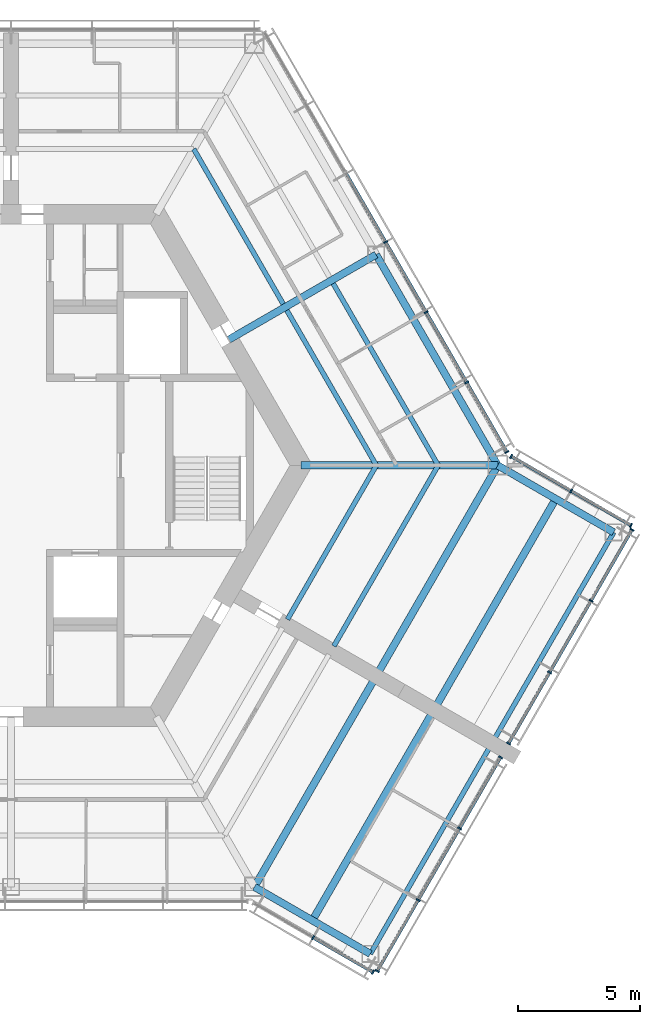
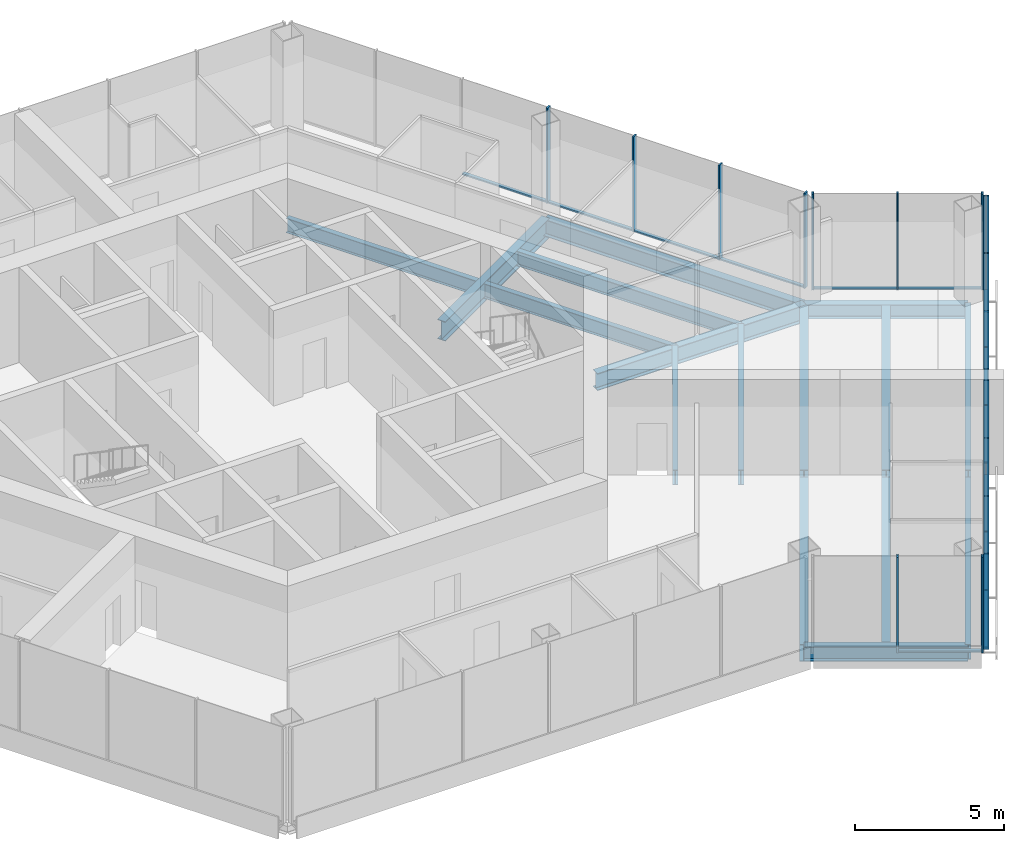
# One storey, part 4 of 13: 30 members, 16 beams, 5 elements without a shape of their own.
"""IFC4 building model written with IfcOpenShell, lengths in metres."""

from ifc_helpers import new_model, si_unit, direction, frame, origin, origin_2d, place, context, subcontext, project, spatial, rectangle, i_section, extrude, material, material_profile, profile_set, type_object, element, aggregate, save


model = new_model("IFC4")

# Units and contexts
model_context = context("Model", 3, precision=1e-05, world=origin(), true_north=direction((0.0, 1.0)))
body_context = subcontext(model_context, "Body", "Model", "MODEL_VIEW")
ifc_project = project(units=[si_unit("LENGTHUNIT", "METRE"), si_unit("AREAUNIT", "SQUARE_METRE"), si_unit("VOLUMEUNIT", "CUBIC_METRE"), si_unit("PLANEANGLEUNIT", "RADIAN"), si_unit("MASSUNIT", "GRAM", prefix="KILO")], contexts=[model_context])

# Site, building, storey
site_placement = place(None, origin())
site = spatial("IfcSite", under=ifc_project, at=site_placement, CompositionType="ELEMENT")
building_placement = place(site_placement, origin())
building = spatial("IfcBuilding", under=site, at=building_placement, Name="Kasaneha Research Tower", CompositionType="ELEMENT")
storey_placement = place(building_placement, frame((0.0, 0.0, 271.300048828125)))
storey = spatial("IfcBuildingStorey", under=building, at=storey_placement, Name="L68", CompositionType="ELEMENT", Elevation=271.300048828125)

# Beams
ifc_material_1 = material(Name="Steel SN490B", Category="steel")
ifc_material_profile_1 = material_profile(ifc_material_1, i_section(OverallWidth=0.199951171875, OverallDepth=0.60009765625, WebThickness=0.010986328125, FlangeThickness=0.01708984375, FilletRadius=0.012939453125, at=origin_2d()), Name="H-600x200x11x17")
ifc_profile_set_1 = profile_set([ifc_material_profile_1], Name="Steel SN490B")
beam_type_1 = type_object("IfcBeamType", Name="B1-3 secondary beam H-600x200x11x17", PredefinedType="JOIST", material=ifc_profile_set_1)
beam_1_placement = place(storey_placement, frame((15.010986328125, 0.0, -0.449951171875), z_axis=(-0.499994443168, 0.866028611999, 0.0), x_axis=(-0.866028611999, -0.499994443168, 0.0)))
element("IfcBeam", 1, at=beam_1_placement, inside=storey, type_object=beam_type_1, Name="Secondary beam RS030L1 L68", PredefinedType="JOIST", context=body_context, shape_type="SweptSolid", body=[
    extrude(i_section(OverallWidth=0.199951171875, OverallDepth=0.60009765625, WebThickness=0.010986328125, FlangeThickness=0.01708984375, FilletRadius=0.012939453125, at=origin_2d()), origin(), (0.0, 0.0, 1.0), 7.35546875),
])
beam_2_placement = place(storey_placement, frame((17.551513671875, 0.0, -0.449951171875), z_axis=(-0.5000050195, 0.866022505755, 0.0), x_axis=(-0.866022505755, -0.5000050195, 0.0)))
element("IfcBeam", 2, at=beam_2_placement, inside=storey, type_object=beam_type_1, Name="Secondary beam RS030L2 L68", PredefinedType="JOIST", context=body_context, shape_type="SweptSolid", body=[
    extrude(i_section(OverallWidth=0.199951171875, OverallDepth=0.60009765625, WebThickness=0.010986328125, FlangeThickness=0.01708984375, FilletRadius=0.012939453125, at=origin_2d()), origin(), (0.0, 0.0, 1.0), 8.6259765625),
])
beam_3_placement = place(storey_placement, frame((7.505615234375, 13.0, -0.449951171875), z_axis=(0.499994443168, -0.866028611999, 0.0), x_axis=(0.866028611999, 0.499994443168, 0.0)))
element("IfcBeam", 3, at=beam_3_placement, inside=storey, type_object=beam_type_1, Name="Secondary beam RS030R1 L68", PredefinedType="JOIST", context=body_context, shape_type="SweptSolid", body=[
    extrude(i_section(OverallWidth=0.199951171875, OverallDepth=0.60009765625, WebThickness=0.010986328125, FlangeThickness=0.01708984375, FilletRadius=0.012939453125, at=origin_2d()), origin(), (0.0, 0.0, 1.0), 7.35546875),
])
beam_4_placement = place(storey_placement, frame((15.010986328125, 0.0, -0.449951171875), z_axis=(-0.499974128195, -0.866040340363, 0.0), x_axis=(0.866040340363, -0.499974128195, 0.0)))
element("IfcBeam", 4, at=beam_4_placement, inside=storey, type_object=beam_type_1, Name="Secondary beam RS330R1 L68", PredefinedType="JOIST", context=body_context, shape_type="SweptSolid", body=[
    extrude(i_section(OverallWidth=0.199951171875, OverallDepth=0.60009765625, WebThickness=0.010986328125, FlangeThickness=0.01708984375, FilletRadius=0.012939453125, at=origin_2d()), origin(), (0.0, 0.0, 1.0), 7.3056640625),
])
beam_5_placement = place(storey_placement, frame((17.551513671875, 0.0, -0.449951171875), z_axis=(-0.500000102728, -0.866025344474, 0.0), x_axis=(0.866025344474, -0.500000102728, 0.0)))
element("IfcBeam", 5, at=beam_5_placement, inside=storey, type_object=beam_type_1, Name="Secondary beam RS330R2 L68", PredefinedType="JOIST", context=body_context, shape_type="SweptSolid", body=[
    extrude(i_section(OverallWidth=0.199951171875, OverallDepth=0.60009765625, WebThickness=0.010986328125, FlangeThickness=0.01708984375, FilletRadius=0.012939453125, at=origin_2d()), origin(), (0.0, 0.0, 1.0), 8.57568359375),
])
ifc_material_2 = material(Name="Steel SN490B", Category="steel")
ifc_material_profile_2 = material_profile(ifc_material_2, i_section(OverallWidth=0.300048828125, OverallDepth=0.58203125, WebThickness=0.011962890625, FlangeThickness=0.01708984375, FilletRadius=0.012939453125, at=origin_2d()), Name="H-582x300x12x17")
ifc_profile_set_2 = profile_set([ifc_material_profile_2], Name="Steel SN490B")
beam_type_2 = type_object("IfcBeamType", Name="B2-3 secondary beam H-582x300x12x17", PredefinedType="JOIST", material=ifc_profile_set_2)
for number, where, z_axis, x_axis, name in (
    (6, (12.381591796875, -18.695556640625, -0.441162109375), (0.49999201416, 0.866030014362, 0.0), (-0.866030014362, 0.49999201416, 0.0), "Secondary beam WBCP1 L68"),
    (7, (22.381591796875, -1.375, -0.441162109375), (-0.49999201416, -0.866030014362, 0.0), (0.866030014362, -0.49999201416, 0.0), "Secondary beam WBCN1 L68"),
):
    element("IfcBeam", number, at=place(storey_placement, frame(where, z_axis=z_axis, x_axis=x_axis)), inside=storey, type_object=beam_type_2, Name=name, PredefinedType="JOIST", context=body_context, shape_type="SweptSolid", body=[
        extrude(i_section(OverallWidth=0.300048828125, OverallDepth=0.58203125, WebThickness=0.011962890625, FlangeThickness=0.01708984375, FilletRadius=0.012939453125, at=origin_2d()), origin(), (0.0, 0.0, 1.0), 9.800048828125),
    ])

# Curtain wall, members
ifc_material_3 = material(Name="Glass and aluminium", Category="aluminium")
curtain_wall_type = type_object("IfcCurtainWallType", Name="Crown curtain wall", PredefinedType="USERDEFINED", material=ifc_material_3)
curtain_wall_1_placement = place(storey_placement, origin())
curtain_wall_1 = element("IfcCurtainWall", 8, at=curtain_wall_1_placement, inside=storey, type_object=curtain_wall_type, Name="CW-C L68 run 01a", ObjectType="UNITISED CURTAIN WALL", PredefinedType="USERDEFINED")
ifc_material_4 = material(Name="Aluminium 6063-T6", Category="aluminium")
ifc_material_profile_3 = material_profile(ifc_material_4, rectangle(XDim=0.06005859375, YDim=0.179931640625, at=origin_2d()), Name="CW-C mullion 60x180")
ifc_profile_set_3 = profile_set([ifc_material_profile_3], Name="Aluminium 6063-T6")
member_type_1 = type_object("IfcMemberType", Name="CW-C mullion", PredefinedType="MULLION", material=ifc_profile_set_3)
member_1_placement = place(storey_placement, frame((20.374267578125, 0.5517578125, 0.0), z_axis=(0.0, 0.0, 1.0), x_axis=(-0.499999979232, 0.866025415775, 0.0)))
member_1 = element("IfcMember", 9, at=member_1_placement, type_object=member_type_1, Name="CW-C mullion 1", PredefinedType="MULLION", context=body_context, shape_type="SweptSolid", body=[
    extrude(rectangle(XDim=0.06005859375, YDim=0.179931640625, at=origin_2d()), origin(), (0.0, 0.0, 1.0), 3.89990234375),
])
member_2_placement = place(storey_placement, frame((18.723876953125, 3.410400390625, 0.0), z_axis=(0.0, 0.0, 1.0), x_axis=(-0.499999979232, 0.866025415775, 0.0)))
member_2 = element("IfcMember", 10, at=member_2_placement, type_object=member_type_1, Name="CW-C mullion 2", PredefinedType="MULLION", context=body_context, shape_type="SweptSolid", body=[
    extrude(rectangle(XDim=0.06005859375, YDim=0.179931640625, at=origin_2d()), origin(), (0.0, 0.0, 1.0), 3.89990234375),
])
member_3_placement = place(storey_placement, frame((17.058349609375, 6.295166015625, 0.0), z_axis=(0.0, 0.0, 1.0), x_axis=(-0.499999979232, 0.866025415775, 0.0)))
member_3 = element("IfcMember", 11, at=member_3_placement, type_object=member_type_1, Name="CW-C mullion 3", PredefinedType="MULLION", context=body_context, shape_type="SweptSolid", body=[
    extrude(rectangle(XDim=0.06005859375, YDim=0.179931640625, at=origin_2d()), origin(), (0.0, 0.0, 1.0), 3.89990234375),
])
member_4_placement = place(storey_placement, frame((15.392822265625, 9.179931640625, 0.0), z_axis=(0.0, 0.0, 1.0), x_axis=(-0.499999979232, 0.866025415775, 0.0)))
member_4 = element("IfcMember", 12, at=member_4_placement, type_object=member_type_1, Name="CW-C mullion 4", PredefinedType="MULLION", context=body_context, shape_type="SweptSolid", body=[
    extrude(rectangle(XDim=0.06005859375, YDim=0.179931640625, at=origin_2d()), origin(), (0.0, 0.0, 1.0), 3.89990234375),
])

curtain_wall_2_placement = place(storey_placement, origin())
curtain_wall_2 = element("IfcCurtainWall", 13, at=curtain_wall_2_placement, inside=storey, type_object=curtain_wall_type, Name="CW-C L68 run 06a", ObjectType="UNITISED CURTAIN WALL", PredefinedType="USERDEFINED")
member_5_placement = place(storey_placement, frame((12.410888671875, -19.4052734375, 0.0), z_axis=(0.0, 0.0, 1.0), x_axis=(0.866025443395, -0.499999931393, 0.0)))
member_5 = element("IfcMember", 14, at=member_5_placement, type_object=member_type_1, Name="CW-C mullion 2", PredefinedType="MULLION", context=body_context, shape_type="SweptSolid", body=[
    extrude(rectangle(XDim=0.06005859375, YDim=0.179931640625, at=origin_2d()), origin(), (0.0, 0.0, 1.0), 3.89990234375),
])
member_6_placement = place(storey_placement, frame((14.8701171875, -20.8251953125, 0.0), z_axis=(0.0, 0.0, 1.0), x_axis=(0.866025443395, -0.499999931393, 0.0)))
member_6 = element("IfcMember", 15, at=member_6_placement, type_object=member_type_1, Name="CW-C mullion 3", PredefinedType="MULLION", context=body_context, shape_type="SweptSolid", body=[
    extrude(rectangle(XDim=0.06005859375, YDim=0.179931640625, at=origin_2d()), origin(), (0.0, 0.0, 1.0), 3.89990234375),
])

curtain_wall_3_placement = place(storey_placement, origin())
curtain_wall_3 = element("IfcCurtainWall", 16, at=curtain_wall_3_placement, inside=storey, type_object=curtain_wall_type, Name="CW-C L68 run 07a", ObjectType="UNITISED CURTAIN WALL", PredefinedType="USERDEFINED")
member_7_placement = place(storey_placement, frame((15.0478515625, -20.777587890625, 0.0), z_axis=(0.0, 0.0, 1.0), x_axis=(0.500000011442, 0.866025397178, 0.0)))
member_7 = element("IfcMember", 17, at=member_7_placement, type_object=member_type_1, Name="CW-C mullion 1", PredefinedType="MULLION", context=body_context, shape_type="SweptSolid", body=[
    extrude(rectangle(XDim=0.06005859375, YDim=0.179931640625, at=origin_2d()), origin(), (0.0, 0.0, 1.0), 3.89990234375),
])
member_8_placement = place(storey_placement, frame((16.732666015625, -17.859130859375, 0.0), z_axis=(0.0, 0.0, 1.0), x_axis=(0.500000011442, 0.866025397178, 0.0)))
member_8 = element("IfcMember", 18, at=member_8_placement, type_object=member_type_1, Name="CW-C mullion 2", PredefinedType="MULLION", context=body_context, shape_type="SweptSolid", body=[
    extrude(rectangle(XDim=0.06005859375, YDim=0.179931640625, at=origin_2d()), origin(), (0.0, 0.0, 1.0), 3.89990234375),
])
member_9_placement = place(storey_placement, frame((18.432861328125, -14.91455078125, 0.0), z_axis=(0.0, 0.0, 1.0), x_axis=(0.500000011442, 0.866025397178, 0.0)))
member_9 = element("IfcMember", 19, at=member_9_placement, type_object=member_type_1, Name="CW-C mullion 3", PredefinedType="MULLION", context=body_context, shape_type="SweptSolid", body=[
    extrude(rectangle(XDim=0.06005859375, YDim=0.179931640625, at=origin_2d()), origin(), (0.0, 0.0, 1.0), 3.89990234375),
])
member_10_placement = place(storey_placement, frame((20.11767578125, -11.99609375, 0.0), z_axis=(0.0, 0.0, 1.0), x_axis=(0.500000011442, 0.866025397178, 0.0)))
member_10 = element("IfcMember", 20, at=member_10_placement, type_object=member_type_1, Name="CW-C mullion 4", PredefinedType="MULLION", context=body_context, shape_type="SweptSolid", body=[
    extrude(rectangle(XDim=0.06005859375, YDim=0.179931640625, at=origin_2d()), origin(), (0.0, 0.0, 1.0), 3.89990234375),
])

curtain_wall_4_placement = place(storey_placement, origin())
curtain_wall_4 = element("IfcCurtainWall", 21, at=curtain_wall_4_placement, inside=storey, type_object=curtain_wall_type, Name="CW-C L68 run 08a", ObjectType="UNITISED CURTAIN WALL", PredefinedType="USERDEFINED")
member_11_placement = place(storey_placement, frame((20.44775390625, -11.424560546875, 0.0), z_axis=(0.0, 0.0, 1.0), x_axis=(0.500000011442, 0.866025397178, 0.0)))
member_11 = element("IfcMember", 22, at=member_11_placement, type_object=member_type_1, Name="CW-C mullion 1", PredefinedType="MULLION", context=body_context, shape_type="SweptSolid", body=[
    extrude(rectangle(XDim=0.06005859375, YDim=0.179931640625, at=origin_2d()), origin(), (0.0, 0.0, 1.0), 3.89990234375),
])
member_12_placement = place(storey_placement, frame((22.1328125, -8.505859375, 0.0), z_axis=(0.0, 0.0, 1.0), x_axis=(0.500000011442, 0.866025397178, 0.0)))
member_12 = element("IfcMember", 23, at=member_12_placement, type_object=member_type_1, Name="CW-C mullion 2", PredefinedType="MULLION", context=body_context, shape_type="SweptSolid", body=[
    extrude(rectangle(XDim=0.06005859375, YDim=0.179931640625, at=origin_2d()), origin(), (0.0, 0.0, 1.0), 3.89990234375),
])
member_13_placement = place(storey_placement, frame((23.832763671875, -5.5615234375, 0.0), z_axis=(0.0, 0.0, 1.0), x_axis=(0.500000011442, 0.866025397178, 0.0)))
member_13 = element("IfcMember", 24, at=member_13_placement, type_object=member_type_1, Name="CW-C mullion 3", PredefinedType="MULLION", context=body_context, shape_type="SweptSolid", body=[
    extrude(rectangle(XDim=0.06005859375, YDim=0.179931640625, at=origin_2d()), origin(), (0.0, 0.0, 1.0), 3.89990234375),
])
member_14_placement = place(storey_placement, frame((25.517822265625, -2.64306640625, 0.0), z_axis=(0.0, 0.0, 1.0), x_axis=(0.500000011442, 0.866025397178, 0.0)))
member_14 = element("IfcMember", 25, at=member_14_placement, type_object=member_type_1, Name="CW-C mullion 4", PredefinedType="MULLION", context=body_context, shape_type="SweptSolid", body=[
    extrude(rectangle(XDim=0.06005859375, YDim=0.179931640625, at=origin_2d()), origin(), (0.0, 0.0, 1.0), 3.89990234375),
])

curtain_wall_5_placement = place(storey_placement, origin())
curtain_wall_5 = element("IfcCurtainWall", 26, at=curtain_wall_5_placement, inside=storey, type_object=curtain_wall_type, Name="CW-C L68 run 09a", ObjectType="UNITISED CURTAIN WALL", PredefinedType="USERDEFINED")
member_15_placement = place(storey_placement, frame((25.47021484375, -2.46533203125, 0.0), z_axis=(0.0, 0.0, 1.0), x_axis=(-0.866025443395, 0.499999931393, 0.0)))
member_15 = element("IfcMember", 27, at=member_15_placement, type_object=member_type_1, Name="CW-C mullion 1", PredefinedType="MULLION", context=body_context, shape_type="SweptSolid", body=[
    extrude(rectangle(XDim=0.06005859375, YDim=0.179931640625, at=origin_2d()), origin(), (0.0, 0.0, 1.0), 3.89990234375),
])
member_16_placement = place(storey_placement, frame((23.010986328125, -1.045654296875, 0.0), z_axis=(0.0, 0.0, 1.0), x_axis=(-0.866025443395, 0.499999931393, 0.0)))
member_16 = element("IfcMember", 28, at=member_16_placement, type_object=member_type_1, Name="CW-C mullion 2", PredefinedType="MULLION", context=body_context, shape_type="SweptSolid", body=[
    extrude(rectangle(XDim=0.06005859375, YDim=0.179931640625, at=origin_2d()), origin(), (0.0, 0.0, 1.0), 3.89990234375),
])
member_17_placement = place(storey_placement, frame((20.5517578125, 0.374267578125, 0.0), z_axis=(0.0, 0.0, 1.0), x_axis=(-0.866025443395, 0.499999931393, 0.0)))
member_17 = element("IfcMember", 29, at=member_17_placement, type_object=member_type_1, Name="CW-C mullion 3", PredefinedType="MULLION", context=body_context, shape_type="SweptSolid", body=[
    extrude(rectangle(XDim=0.06005859375, YDim=0.179931640625, at=origin_2d()), origin(), (0.0, 0.0, 1.0), 3.89990234375),
])

# Member
ifc_material_5 = material(Name="Aluminium 6063-T6", Category="aluminium")
ifc_material_profile_4 = material_profile(ifc_material_5, rectangle(XDim=0.1298828125, YDim=0.06005859375, at=origin_2d()), Name="CW-C transom 130x60")
ifc_profile_set_4 = profile_set([ifc_material_profile_4], Name="Aluminium 6063-T6")
member_type_2 = type_object("IfcMemberType", Name="CW-C transom", PredefinedType="USERDEFINED", material=ifc_profile_set_4)
member_18_placement = place(storey_placement, frame((20.359130859375, 0.577880859375, 0.030029296875), z_axis=(-0.499987643696, 0.866032537582, 0.0), x_axis=(-0.866032537582, -0.499987643696, 0.0)))
member_18 = element("IfcMember", 30, at=member_18_placement, type_object=member_type_2, Name="CW-C transom 1", ObjectType="TRANSOM", PredefinedType="USERDEFINED", context=body_context, shape_type="SweptSolid", body=[
    extrude(rectangle(XDim=0.1298828125, YDim=0.06005859375, at=origin_2d()), origin(), (0.0, 0.0, 1.0), 3.24072265625),
])

member_19_placement = place(storey_placement, frame((18.708740234375, 3.4365234375, 0.030029296875), z_axis=(-0.500000270186, 0.866025247793, 0.0), x_axis=(-0.866025247793, -0.500000270186, 0.0)))
member_19 = element("IfcMember", 31, at=member_19_placement, type_object=member_type_2, Name="CW-C transom 2", ObjectType="TRANSOM", PredefinedType="USERDEFINED", context=body_context, shape_type="SweptSolid", body=[
    extrude(rectangle(XDim=0.1298828125, YDim=0.06005859375, at=origin_2d()), origin(), (0.0, 0.0, 1.0), 3.27099609375),
])

member_20_placement = place(storey_placement, frame((17.043212890625, 6.3212890625, 0.030029296875), z_axis=(-0.50003259116, 0.866006586452, 0.0), x_axis=(-0.866006586452, -0.50003259116, 0.0)))
member_20 = element("IfcMember", 32, at=member_20_placement, type_object=member_type_2, Name="CW-C transom 3", ObjectType="TRANSOM", PredefinedType="USERDEFINED", context=body_context, shape_type="SweptSolid", body=[
    extrude(rectangle(XDim=0.1298828125, YDim=0.06005859375, at=origin_2d()), origin(), (0.0, 0.0, 1.0), 3.270751953125),
])

member_21_placement = place(storey_placement, frame((15.3779296875, 9.205810546875, 0.030029296875), z_axis=(-0.500000270186, 0.866025247793, 0.0), x_axis=(-0.866025247793, -0.500000270186, 0.0)))
member_21 = element("IfcMember", 33, at=member_21_placement, type_object=member_type_2, Name="CW-C transom 4", ObjectType="TRANSOM", PredefinedType="USERDEFINED", context=body_context, shape_type="SweptSolid", body=[
    extrude(rectangle(XDim=0.1298828125, YDim=0.06005859375, at=origin_2d()), origin(), (0.0, 0.0, 1.0), 3.27099609375),
])

aggregate(curtain_wall_1, [member_1, member_2, member_3, member_4, member_18, member_19, member_20, member_21])

member_22_placement = place(storey_placement, frame((12.43701171875, -19.42041015625, 0.030029296875), z_axis=(0.866051024128, -0.499955621637, 0.0), x_axis=(0.499955621637, 0.866051024128, 0.0)))
member_22 = element("IfcMember", 34, at=member_22_placement, type_object=member_type_2, Name="CW-C transom 2", ObjectType="TRANSOM", PredefinedType="USERDEFINED", context=body_context, shape_type="SweptSolid", body=[
    extrude(rectangle(XDim=0.1298828125, YDim=0.06005859375, at=origin_2d()), origin(), (0.0, 0.0, 1.0), 2.779541015625),
])

aggregate(curtain_wall_2, [member_5, member_6, member_22])

member_23_placement = place(storey_placement, frame((15.062744140625, -20.75146484375, 0.030029296875), z_axis=(0.500018282537, 0.866014848099, 0.0), x_axis=(-0.866014848099, 0.500018282537, 0.0)))
member_23 = element("IfcMember", 35, at=member_23_placement, type_object=member_type_2, Name="CW-C transom 1", ObjectType="TRANSOM", PredefinedType="USERDEFINED", context=body_context, shape_type="SweptSolid", body=[
    extrude(rectangle(XDim=0.1298828125, YDim=0.06005859375, at=origin_2d()), origin(), (0.0, 0.0, 1.0), 3.31005859375),
])

member_24_placement = place(storey_placement, frame((16.747802734375, -17.8330078125, 0.030029296875), z_axis=(0.499975549825, 0.866039519639, 0.0), x_axis=(-0.866039519639, 0.499975549825, 0.0)))
member_24 = element("IfcMember", 36, at=member_24_placement, type_object=member_type_2, Name="CW-C transom 2", ObjectType="TRANSOM", PredefinedType="USERDEFINED", context=body_context, shape_type="SweptSolid", body=[
    extrude(rectangle(XDim=0.1298828125, YDim=0.06005859375, at=origin_2d()), origin(), (0.0, 0.0, 1.0), 3.340087890625),
])

member_25_placement = place(storey_placement, frame((18.44775390625, -14.888671875, 0.030029296875), z_axis=(0.49998634449, 0.866033287653, 0.0), x_axis=(-0.866033287653, 0.49998634449, 0.0)))
member_25 = element("IfcMember", 37, at=member_25_placement, type_object=member_type_2, Name="CW-C transom 3", ObjectType="TRANSOM", PredefinedType="USERDEFINED", context=body_context, shape_type="SweptSolid", body=[
    extrude(rectangle(XDim=0.1298828125, YDim=0.06005859375, at=origin_2d()), origin(), (0.0, 0.0, 1.0), 3.31005859375),
])

aggregate(curtain_wall_3, [member_7, member_8, member_9, member_10, member_23, member_24, member_25])

member_26_placement = place(storey_placement, frame((20.462646484375, -11.3984375, 0.030029296875), z_axis=(0.500018282537, 0.866014848099, 0.0), x_axis=(-0.866014848099, 0.500018282537, 0.0)))
member_26 = element("IfcMember", 38, at=member_26_placement, type_object=member_type_2, Name="CW-C transom 1", ObjectType="TRANSOM", PredefinedType="USERDEFINED", context=body_context, shape_type="SweptSolid", body=[
    extrude(rectangle(XDim=0.1298828125, YDim=0.06005859375, at=origin_2d()), origin(), (0.0, 0.0, 1.0), 3.31005859375),
])

member_27_placement = place(storey_placement, frame((22.147705078125, -8.47998046875, 0.030029296875), z_axis=(0.500030370488, 0.866007868665, 0.0), x_axis=(-0.866007868665, 0.500030370488, 0.0)))
member_27 = element("IfcMember", 39, at=member_27_placement, type_object=member_type_2, Name="CW-C transom 2", ObjectType="TRANSOM", PredefinedType="USERDEFINED", context=body_context, shape_type="SweptSolid", body=[
    extrude(rectangle(XDim=0.1298828125, YDim=0.06005859375, at=origin_2d()), origin(), (0.0, 0.0, 1.0), 3.340087890625),
])

member_28_placement = place(storey_placement, frame((23.84765625, -5.535400390625, 0.030029296875), z_axis=(0.500018282537, 0.866014848099, 0.0), x_axis=(-0.866014848099, 0.500018282537, 0.0)))
member_28 = element("IfcMember", 40, at=member_28_placement, type_object=member_type_2, Name="CW-C transom 3", ObjectType="TRANSOM", PredefinedType="USERDEFINED", context=body_context, shape_type="SweptSolid", body=[
    extrude(rectangle(XDim=0.1298828125, YDim=0.06005859375, at=origin_2d()), origin(), (0.0, 0.0, 1.0), 3.31005859375),
])

aggregate(curtain_wall_4, [member_11, member_12, member_13, member_14, member_26, member_27, member_28])

member_29_placement = place(storey_placement, frame((25.444091796875, -2.450439453125, 0.030029296875), z_axis=(-0.866012991964, 0.500021497287, 0.0), x_axis=(-0.500021497287, -0.866012991964, 0.0)))
member_29 = element("IfcMember", 41, at=member_29_placement, type_object=member_type_2, Name="CW-C transom 1", ObjectType="TRANSOM", PredefinedType="USERDEFINED", context=body_context, shape_type="SweptSolid", body=[
    extrude(rectangle(XDim=0.1298828125, YDim=0.06005859375, at=origin_2d()), origin(), (0.0, 0.0, 1.0), 2.77978515625),
])

member_30_placement = place(storey_placement, frame((22.985107421875, -1.030517578125, 0.030029296875), z_axis=(-0.866051024128, 0.499955621637, 0.0), x_axis=(-0.499955621637, -0.866051024128, 0.0)))
member_30 = element("IfcMember", 42, at=member_30_placement, type_object=member_type_2, Name="CW-C transom 2", ObjectType="TRANSOM", PredefinedType="USERDEFINED", context=body_context, shape_type="SweptSolid", body=[
    extrude(rectangle(XDim=0.1298828125, YDim=0.06005859375, at=origin_2d()), origin(), (0.0, 0.0, 1.0), 2.779541015625),
])

aggregate(curtain_wall_5, [member_15, member_16, member_17, member_29, member_30])

# Beams
ifc_material_6 = material(Name="Steel SN490B", Category="steel")
ifc_material_profile_5 = material_profile(ifc_material_6, i_section(OverallWidth=0.300048828125, OverallDepth=0.699951171875, WebThickness=0.012939453125, FlangeThickness=0.02392578125, FilletRadius=0.01806640625, at=origin_2d()), Name="H-700x300x13x24")
ifc_profile_set_5 = profile_set([ifc_material_profile_5], Name="Steel SN490B")
beam_type_3 = type_object("IfcBeamType", Name="G1-3 radial girder H-700x300x13x24", PredefinedType="BEAM", material=ifc_profile_set_5)
beam_6_placement = place(storey_placement, frame((11.92236328125, 0.0, -0.5), z_axis=(1.0, 0.0, 0.0), x_axis=(0.0, 1.0, 0.0)))
element("IfcBeam", 43, at=beam_6_placement, inside=storey, type_object=beam_type_3, Name="Radial girder RV000 L68", PredefinedType="BEAM", context=body_context, shape_type="SweptSolid", body=[
    extrude(i_section(OverallWidth=0.300048828125, OverallDepth=0.699951171875, WebThickness=0.012939453125, FlangeThickness=0.02392578125, FilletRadius=0.01806640625, at=origin_2d()), origin(), (0.0, 0.0, 1.0), 8.07763671875),
])
ifc_material_7 = material(Name="Steel SN490B", Category="steel")
ifc_material_profile_6 = material_profile(ifc_material_7, i_section(OverallWidth=0.300048828125, OverallDepth=0.800048828125, WebThickness=0.013916015625, FlangeThickness=0.02587890625, FilletRadius=0.01806640625, at=origin_2d()), Name="H-800x300x14x26")
ifc_profile_set_6 = profile_set([ifc_material_profile_6], Name="Steel SN490B")
beam_type_4 = type_object("IfcBeamType", Name="G2-3 radial girder H-800x300x14x26", PredefinedType="BEAM", material=ifc_profile_set_6)
beam_7_placement = place(storey_placement, frame((8.941650390625, 5.16259765625, -0.550048828125), z_axis=(0.866039713508, 0.499975214012, 0.0), x_axis=(-0.499975214012, 0.866039713508, 0.0)))
element("IfcBeam", 44, at=beam_7_placement, inside=storey, type_object=beam_type_4, Name="Radial girder RM030 L68", PredefinedType="BEAM", context=body_context, shape_type="SweptSolid", body=[
    extrude(i_section(OverallWidth=0.300048828125, OverallDepth=0.800048828125, WebThickness=0.013916015625, FlangeThickness=0.02587890625, FilletRadius=0.01806640625, at=origin_2d()), origin(), (0.0, 0.0, 1.0), 6.995361328125),
])
ifc_material_8 = material(Name="Steel SN490B", Category="steel")
ifc_material_profile_7 = material_profile(ifc_material_8, i_section(OverallWidth=0.300048828125, OverallDepth=0.69189453125, WebThickness=0.012939453125, FlangeThickness=0.02001953125, FilletRadius=0.01806640625, at=origin_2d()), Name="H-692x300x13x20")
ifc_profile_set_7 = profile_set([ifc_material_profile_7], Name="Steel SN490B")
beam_type_5 = type_object("IfcBeamType", Name="G3-3 plate edge girder H-692x300x13x20", PredefinedType="BEAM", material=ifc_profile_set_7)
for number, where, z_axis, x_axis, name in (
    (45, (10.0, -17.320556640625, -0.49609375), (0.49999201416, 0.866030014362, 0.0), (-0.866030014362, 0.49999201416, 0.0), "Plate edge girder PECP L68"),
    (46, (20.0, 0.0, -0.49609375), (-0.49999201416, -0.866030014362, 0.0), (0.866030014362, -0.49999201416, 0.0), "Plate edge girder PECN L68"),
):
    element("IfcBeam", number, at=place(storey_placement, frame(where, z_axis=z_axis, x_axis=x_axis)), inside=storey, type_object=beam_type_5, Name=name, PredefinedType="BEAM", context=body_context, shape_type="SweptSolid", body=[
        extrude(i_section(OverallWidth=0.300048828125, OverallDepth=0.69189453125, WebThickness=0.012939453125, FlangeThickness=0.02001953125, FilletRadius=0.01806640625, at=origin_2d()), origin(), (0.0, 0.0, 1.0), 9.800048828125),
    ])
ifc_material_9 = material(Name="Steel SN490B", Category="steel")
ifc_material_profile_8 = material_profile(ifc_material_9, i_section(OverallWidth=0.300048828125, OverallDepth=0.69189453125, WebThickness=0.012939453125, FlangeThickness=0.02001953125, FilletRadius=0.01806640625, at=origin_2d()), Name="H-692x300x13x20")
ifc_profile_set_8 = profile_set([ifc_material_profile_8], Name="Steel SN490B")
beam_type_6 = type_object("IfcBeamType", Name="SB1-3 spandrel beam H-692x300x13x20", PredefinedType="SPANDREL", material=ifc_profile_set_8)
beam_8_placement = place(storey_placement, frame((20.0, 0.0, -0.49609375), z_axis=(-0.500004234368, 0.866022959057, 0.0), x_axis=(-0.866022959057, -0.500004234368, 0.0)))
element("IfcBeam", 47, at=beam_8_placement, inside=storey, type_object=beam_type_6, Name="Spandrel beam SR030L L68", PredefinedType="SPANDREL", context=body_context, shape_type="SweptSolid", body=[
    extrude(i_section(OverallWidth=0.300048828125, OverallDepth=0.69189453125, WebThickness=0.012939453125, FlangeThickness=0.02001953125, FilletRadius=0.01806640625, at=origin_2d()), origin(), (0.0, 0.0, 1.0), 10.0),
])
ifc_material_10 = material(Name="Steel SN490B", Category="steel")
ifc_material_profile_9 = material_profile(ifc_material_10, i_section(OverallWidth=0.300048828125, OverallDepth=0.58203125, WebThickness=0.011962890625, FlangeThickness=0.01708984375, FilletRadius=0.012939453125, at=origin_2d()), Name="H-582x300x12x17")
ifc_profile_set_9 = profile_set([ifc_material_profile_9], Name="Steel SN490B")
beam_type_7 = type_object("IfcBeamType", Name="SB2-3 spandrel beam H-582x300x12x17", PredefinedType="SPANDREL", material=ifc_profile_set_9)
for number, where, z_axis, x_axis, name in (
    (48, (10.0, -17.320556640625, -0.441162109375), (0.866027397988, -0.499996545922, 0.0), (0.499996545922, 0.866027397988, 0.0), "Spandrel beam WSCP1 L68"),
    (49, (20.0, 0.0, -0.441162109375), (0.866027397988, -0.499996545922, 0.0), (0.499996545922, 0.866027397988, 0.0), "Spandrel beam WSCN1 L68"),
):
    element("IfcBeam", number, at=place(storey_placement, frame(where, z_axis=z_axis, x_axis=x_axis)), inside=storey, type_object=beam_type_7, Name=name, PredefinedType="SPANDREL", context=body_context, shape_type="SweptSolid", body=[
        extrude(i_section(OverallWidth=0.300048828125, OverallDepth=0.58203125, WebThickness=0.011962890625, FlangeThickness=0.01708984375, FilletRadius=0.012939453125, at=origin_2d()), origin(), (0.0, 0.0, 1.0), 5.5),
    ])
ifc_material_11 = material(Name="Steel SN490B", Category="steel")
ifc_material_profile_10 = material_profile(ifc_material_11, i_section(OverallWidth=0.199951171875, OverallDepth=0.60009765625, WebThickness=0.010986328125, FlangeThickness=0.01708984375, FilletRadius=0.012939453125, at=origin_2d()), Name="H-600x200x11x17")
ifc_profile_set_10 = profile_set([ifc_material_profile_10], Name="Steel SN490B")
beam_type_8 = type_object("IfcBeamType", Name="SB3-3 spandrel beam H-600x200x11x17", PredefinedType="SPANDREL", material=ifc_profile_set_10)
for number, where, z_axis, x_axis, name in (
    (50, (14.76318359375, -20.070556640625, -0.449951171875), (0.49999201416, 0.866030014362, 0.0), (-0.866030014362, 0.49999201416, 0.0), "Spandrel beam WTCP L68"),
    (51, (24.76318359375, -2.75, -0.449951171875), (-0.500010698315, -0.866019227021, 0.0), (0.866019227021, -0.500010698315, 0.0), "Spandrel beam WTCN L68"),
):
    element("IfcBeam", number, at=place(storey_placement, frame(where, z_axis=z_axis, x_axis=x_axis)), inside=storey, type_object=beam_type_8, Name=name, PredefinedType="SPANDREL", context=body_context, shape_type="SweptSolid", body=[
        extrude(i_section(OverallWidth=0.199951171875, OverallDepth=0.60009765625, WebThickness=0.010986328125, FlangeThickness=0.01708984375, FilletRadius=0.012939453125, at=origin_2d()), origin(), (0.0, 0.0, 1.0), 9.800048828125),
    ])

save(model, "model.ifc")
